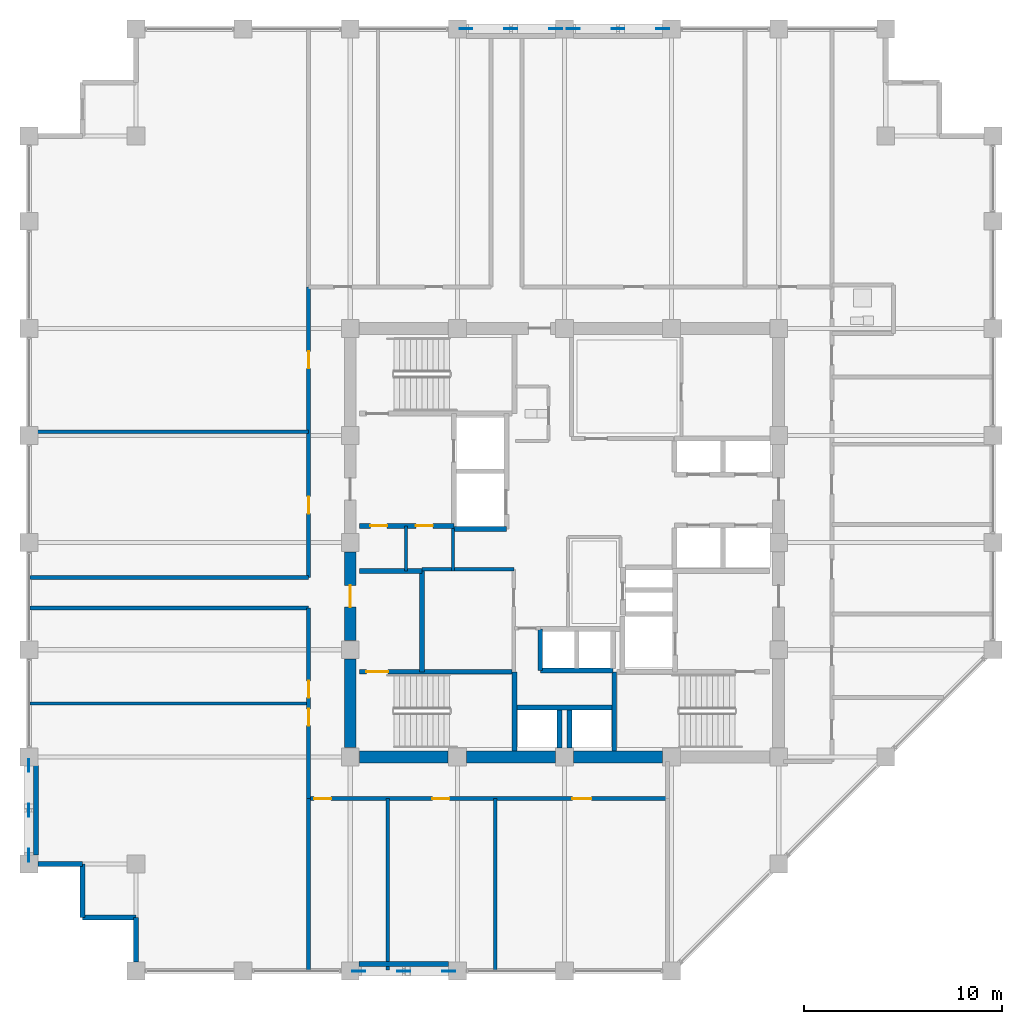
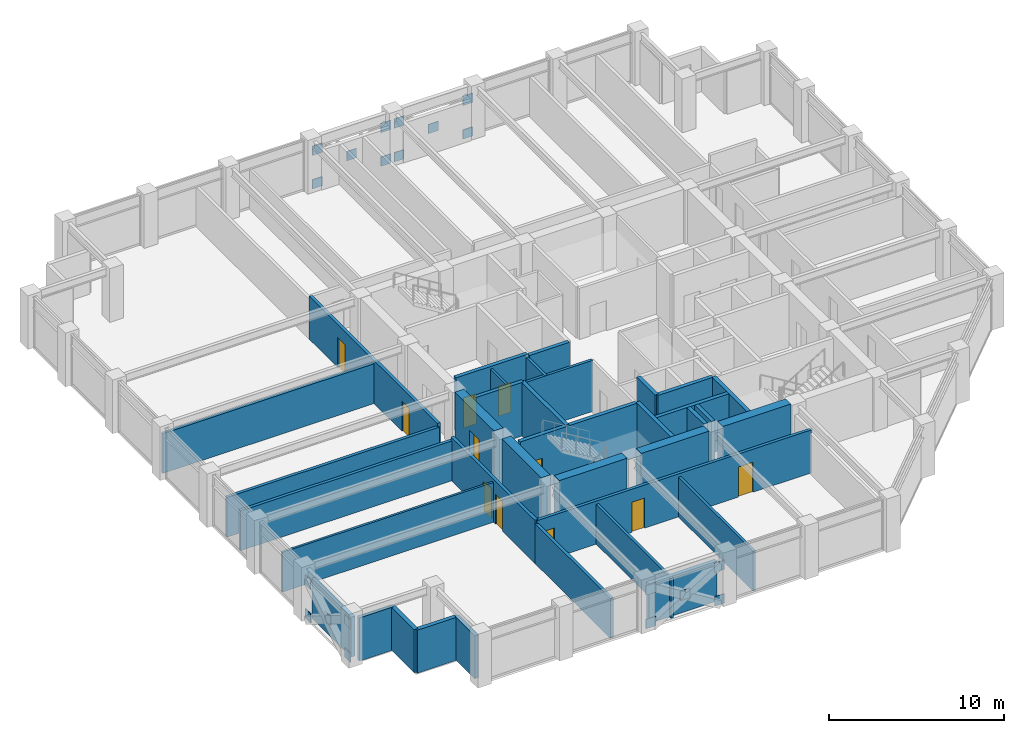
# One storey, part 27 of 32: 36 walls, 20 plates, 11 doors, 11 openings.
"""IFC4 building model written with IfcOpenShell, lengths in metres."""

import ifcopenshell
import ifcopenshell.guid

model = None  # the IFC model being written
_history = None  # IfcOwnerHistory: only IFC2X3 demands one
_inside = {}  # id of a spatial element -> (the spatial element, [elements in it])
_under = {}  # id of a project, library or spatial element -> (it, [spatial elements below it])
_declared = {}  # id of a project -> (the project, [libraries it declares])
_typed = {}  # id of a type object -> (the type object, [elements of that type])
_made_of = {}  # id of a material, layer set ... -> (it, [elements and type objects made of it])


def new_model(schema):
    """Start an empty IFC model of exactly this schema.

    Asked for "IFC4X3", IfcOpenShell would pick the latest addendum, in which some entities
    have other attributes; the version numbers below select the first issue.
    IFC2X3 requires an IfcOwnerHistory on every rooted entity: one is made here for all.
    """
    global model, _history
    if schema == "IFC4X3":
        model = ifcopenshell.file(schema_version=(4, 3, 0, 0))
    else:
        model = ifcopenshell.file(schema=schema)
    _inside.clear()
    _under.clear()
    _declared.clear()
    _typed.clear()
    _made_of.clear()
    _history = None
    if model.schema == "IFC2X3":
        org = make("IfcOrganization", Name="unknown")
        user = make(
            "IfcPersonAndOrganization",
            ThePerson=make("IfcPerson", FamilyName="unknown"),
            TheOrganization=org,
        )
        app = make(
            "IfcApplication",
            ApplicationDeveloper=org,
            Version="unknown",
            ApplicationFullName="unknown",
            ApplicationIdentifier="unknown",
        )
        _history = make(
            "IfcOwnerHistory",
            OwningUser=user,
            OwningApplication=app,
            ChangeAction="ADDED",
            CreationDate=0,
        )
    return model


def make(cls, **values):
    """One entity of the class cls with the attributes given. An attribute that is None is left unset."""
    return model.create_entity(
        cls, **{name: value for name, value in values.items() if value is not None}
    )


def rooted(cls, **values):
    """An entity with a GlobalId (a new one), such as an element, a storey or a relation."""
    return make(cls, GlobalId=ifcopenshell.guid.new(), OwnerHistory=_history, **values)


def si_unit(unit_type, name, prefix=None):
    """IfcSIUnit, for example si_unit("LENGTHUNIT", "METRE", prefix="MILLI")."""
    return make("IfcSIUnit", UnitType=unit_type, Prefix=prefix, Name=name)


def assignment(units):
    """IfcUnitAssignment: the units of a project."""
    return None if units is None else make("IfcUnitAssignment", Units=units)


def point(xyz):
    """IfcCartesianPoint."""
    return None if xyz is None else make("IfcCartesianPoint", Coordinates=xyz)


def direction(xyz):
    """IfcDirection."""
    return None if xyz is None else make("IfcDirection", DirectionRatios=xyz)


def frame(location, z_axis=None, x_axis=None):
    """IfcAxis2Placement3D, a coordinate frame: its origin and axes. An axis left out is left unset."""
    return make(
        "IfcAxis2Placement3D",
        Location=point(location),
        Axis=direction(z_axis),
        RefDirection=direction(x_axis),
    )


def frame_2d(location, x_axis=None):
    """IfcAxis2Placement2D, a coordinate frame in the plane: its origin and x axis."""
    return make(
        "IfcAxis2Placement2D", Location=point(location), RefDirection=direction(x_axis)
    )


def origin():
    """The frame at (0, 0, 0) with its axes left unset."""
    return frame((0.0, 0.0, 0.0))


def origin_2d():
    """The frame at (0, 0) in the plane with its x axis left unset."""
    return frame_2d((0.0, 0.0))


def place(relative_to, where):
    """IfcLocalPlacement: puts the frame where relative to a parent placement (None: the world)."""
    return make(
        "IfcLocalPlacement", PlacementRelTo=relative_to, RelativePlacement=where
    )


def context(
    kind, dimensions, precision=None, world=None, true_north=None, identifier=None
):
    """IfcGeometricRepresentationContext, for example the 3D "Model" context."""
    return make(
        "IfcGeometricRepresentationContext",
        ContextIdentifier=identifier,
        ContextType=kind,
        CoordinateSpaceDimension=dimensions,
        Precision=precision,
        WorldCoordinateSystem=world,
        TrueNorth=true_north,
    )


def subcontext(parent, identifier, kind, view, scale=None):
    """IfcGeometricRepresentationSubContext, for example "Body" below "Model"."""
    return make(
        "IfcGeometricRepresentationSubContext",
        ContextIdentifier=identifier,
        ContextType=kind,
        ParentContext=parent,
        TargetScale=scale,
        TargetView=view,
    )


def project(units=None, contexts=None):
    """IfcProject with its units and contexts."""
    return rooted(
        "IfcProject",
        Name="project",
        RepresentationContexts=contexts,
        UnitsInContext=assignment(units),
    )


def spatial(cls, under=None, at=None, **own):
    """A site, building, storey or space (cls), placed at a placement, below another one or the project."""
    s = rooted(cls, ObjectPlacement=at, **own)
    if under is not None:
        _under.setdefault(under.id(), (under, []))[1].append(s)
    return s


def profile(cls, at=None, kind="AREA", **sizes):
    """A parametric profile (cls). Its sizes go by their IFC names, for example OverallWidth=200.0."""
    return make(cls, ProfileType=kind, Position=at, **sizes)


def rectangle(**sizes):
    """IfcRectangleProfileDef."""
    return profile("IfcRectangleProfileDef", **sizes)


def extrude(swept, where, along, depth):
    """IfcExtrudedAreaSolid: the profile swept, set in the frame where, extruded along a direction by depth."""
    return make(
        "IfcExtrudedAreaSolid",
        SweptArea=swept,
        Position=where,
        ExtrudedDirection=direction(along),
        Depth=depth,
    )


def shape(context_of_items, identifier, shape_type, items):
    """IfcShapeRepresentation: the items that make up one representation, for example the "Body"."""
    return make(
        "IfcShapeRepresentation",
        ContextOfItems=context_of_items,
        RepresentationIdentifier=identifier,
        RepresentationType=shape_type,
        Items=items,
    )


def material(Name=None, Category=None):
    """IfcMaterial."""
    return make("IfcMaterial", Name=Name, Category=Category)


def layer(
    of_material, thickness, ventilated=None, Name=None, Category=None, Priority=None
):
    """IfcMaterialLayer: one layer of a wall or slab, of a material (None: an air gap)."""
    return make(
        "IfcMaterialLayer",
        Material=of_material,
        LayerThickness=thickness,
        IsVentilated=ventilated,
        Name=Name,
        Category=Category,
        Priority=Priority,
    )


def layer_set(layers, Name=None):
    """IfcMaterialLayerSet."""
    return make("IfcMaterialLayerSet", MaterialLayers=layers, LayerSetName=Name)


def made_of(thing, what):
    """Note that an element or type object is made of a material, layer set ...; save() writes the relation."""
    if what is not None:
        _made_of.setdefault(what.id(), (what, []))[1].append(thing)
    return thing


def type_object(cls, material=None, **own):
    """A type object (cls), such as IfcWallType, which elements share."""
    return made_of(rooted(cls, **own), material)


def element(
    cls,
    number,
    at=None,
    inside=None,
    cuts=None,
    type_object=None,
    material=None,
    context=None,
    identifier="Body",
    shape_type=None,
    held_by="IfcProductDefinitionShape",
    body=None,
    shapes=None,
    **own,
):
    """One element of the class cls, such as IfcWall. Its Tag is "e" and its number.

    at: its placement. inside: the storey or other place that contains it. cuts: it is an
    opening in that element (IfcRelVoidsElement). A single representation is given by context,
    identifier, shape_type and body (its items); several are given by shapes. held_by: the class
    of the entity that holds the representations. save() writes the other relations.
    """
    e = rooted(cls, Tag="e%d" % number, ObjectPlacement=at, **own)
    if body is not None:
        shapes = [shape(context, identifier, shape_type, body)]
    if shapes is not None:
        e.Representation = make(held_by, Representations=shapes)
    if inside is not None:
        _inside.setdefault(inside.id(), (inside, []))[1].append(e)
    if cuts is not None:
        rooted(
            "IfcRelVoidsElement", RelatingBuildingElement=cuts, RelatedOpeningElement=e
        )
    if type_object is not None:
        _typed.setdefault(type_object.id(), (type_object, []))[1].append(e)
    return made_of(e, material)


def fill(opening, filler):
    """IfcRelFillsElement: the door or window that sits in an opening."""
    return rooted(
        "IfcRelFillsElement",
        RelatingOpeningElement=opening,
        RelatedBuildingElement=filler,
    )


def aggregate(whole, parts):
    """IfcRelAggregates: a whole, such as a stair, and the parts it consists of."""
    return rooted("IfcRelAggregates", RelatingObject=whole, RelatedObjects=parts)


def save(model, path):
    """Write the relations noted so far, then the file.

    IfcRelAggregates (storeys below a building ...), IfcRelContainedInSpatialStructure (elements
    in a storey), IfcRelDefinesByType, IfcRelAssociatesMaterial and IfcRelDeclares: one each for
    every whole, place, type object, material and project.
    """
    for whole, parts in _under.values():
        aggregate(whole, parts)
    for where, things in _inside.values():
        rooted(
            "IfcRelContainedInSpatialStructure",
            RelatedElements=things,
            RelatingStructure=where,
        )
    for kind, things in _typed.values():
        rooted("IfcRelDefinesByType", RelatedObjects=things, RelatingType=kind)
    for what, things in _made_of.values():
        rooted("IfcRelAssociatesMaterial", RelatedObjects=things, RelatingMaterial=what)
    for by, libraries in _declared.values():
        rooted("IfcRelDeclares", RelatingContext=by, RelatedDefinitions=libraries)
    model.write(path)


model = new_model("IFC4")

# Units and contexts
model_context = context("Model", 3, precision=1e-05, world=origin(), true_north=direction((0.0, 1.0)))
body_context = subcontext(model_context, "Body", "Model", "MODEL_VIEW")
ifc_project = project(units=[si_unit("LENGTHUNIT", "METRE"), si_unit("AREAUNIT", "SQUARE_METRE"), si_unit("VOLUMEUNIT", "CUBIC_METRE"), si_unit("PLANEANGLEUNIT", "RADIAN"), si_unit("MASSUNIT", "GRAM", prefix="KILO")], contexts=[model_context])

# Site, building, storey
site_placement = place(None, origin())
site = spatial("IfcSite", under=ifc_project, at=site_placement, CompositionType="ELEMENT")
building_placement = place(site_placement, origin())
building = spatial("IfcBuilding", under=site, at=building_placement, Name="Surkhivell Harbour Commons", CompositionType="ELEMENT")
storey_placement = place(building_placement, frame((0.0, 0.0, 208.5)))
storey = spatial("IfcBuildingStorey", under=building, at=storey_placement, Name="L54", CompositionType="ELEMENT", Elevation=208.5)

# Plates
ifc_material_1 = material(Name="Steel S460", Category="steel")
ifc_layer_1 = layer(ifc_material_1, 0.044921875)
ifc_layer_set_1 = layer_set([ifc_layer_1], Name="Steel S460")
plate_type = type_object("IfcPlateType", Name="PLT-GUS-650", PredefinedType="USERDEFINED", material=ifc_layer_set_1)
for number, where, z_axis, x_axis, name in (
    (1, (-4.965087890625, 25.89990234375, -0.08935546875), (0.0, 0.0, 1.0), (1.0, 0.0, 0.0), "L54 Perimeter Mega-Brace MB- Corner Gusset N-1"),
    (2, (-0.43505859375, 25.89990234375, -0.08935546875), (0.0, 0.0, 1.0), (1.0, 0.0, 0.0), "L54 Perimeter Mega-Brace MB- Corner Gusset N-2"),
    (3, (-4.965087890625, 25.89990234375, 2.25146484375), (0.0, 0.0, 1.0), (1.0, 0.0, 0.0), "L54 Perimeter Mega-Brace MB- Corner Gusset N-3"),
    (4, (-0.43505859375, 25.89990234375, 2.25146484375), (0.0, 0.0, 1.0), (1.0, 0.0, 0.0), "L54 Perimeter Mega-Brace MB- Corner Gusset N-4"),
    (5, (-2.699951171875, 25.89990234375, 1.0810546875), (0.0, 0.0, 1.0), (1.0, 0.0, 0.0), "L54 Perimeter Mega-Brace MB- Central Crossing Gusset N"),
    (6, (0.43505859375, 25.89990234375, -0.08935546875), (0.0, 0.0, 1.0), (1.0, 0.0, 0.0), "L54 Perimeter Mega-Brace MB- Corner Gusset N2-1"),
    (7, (4.965087890625, 25.89990234375, -0.08935546875), (0.0, 0.0, 1.0), (1.0, 0.0, 0.0), "L54 Perimeter Mega-Brace MB- Corner Gusset N2-2"),
    (8, (0.43505859375, 25.89990234375, 2.25146484375), (0.0, 0.0, 1.0), (1.0, 0.0, 0.0), "L54 Perimeter Mega-Brace MB- Corner Gusset N2-3"),
    (9, (4.965087890625, 25.89990234375, 2.25146484375), (0.0, 0.0, 1.0), (1.0, 0.0, 0.0), "L54 Perimeter Mega-Brace MB- Corner Gusset N2-4"),
    (10, (2.699951171875, 25.89990234375, 1.0810546875), (0.0, 0.0, 1.0), (1.0, 0.0, 0.0), "L54 Perimeter Mega-Brace MB- Central Crossing Gusset N2"),
    (11, (-10.364990234375, -21.60009765625, -0.08935546875), (0.0, 0.0, 1.0), (1.0, 0.0, 0.0), "L54 Perimeter Mega-Brace MB- Corner Gusset S-1"),
    (12, (-5.8349609375, -21.60009765625, -0.08935546875), (0.0, 0.0, 1.0), (1.0, 0.0, 0.0), "L54 Perimeter Mega-Brace MB- Corner Gusset S-2"),
    (13, (-10.364990234375, -21.60009765625, 2.25146484375), (0.0, 0.0, 1.0), (1.0, 0.0, 0.0), "L54 Perimeter Mega-Brace MB- Corner Gusset S-3"),
    (14, (-5.8349609375, -21.60009765625, 2.25146484375), (0.0, 0.0, 1.0), (1.0, 0.0, 0.0), "L54 Perimeter Mega-Brace MB- Corner Gusset S-4"),
    (15, (-8.10009765625, -21.60009765625, 1.0810546875), (0.0, 0.0, 1.0), (1.0, 0.0, 0.0), "L54 Perimeter Mega-Brace MB- Central Crossing Gusset S"),
    (16, (-27.0, -15.764892578125, -0.08935546875), (0.0, 0.0, 1.0), (0.0, 1.0, 0.0), "L54 Perimeter Mega-Brace MB- Corner Gusset W-1"),
    (17, (-27.0, -11.235107421875, -0.08935546875), (0.0, 0.0, 1.0), (0.0, 1.0, 0.0), "L54 Perimeter Mega-Brace MB- Corner Gusset W-2"),
    (18, (-27.0, -15.764892578125, 2.25146484375), (0.0, 0.0, 1.0), (0.0, 1.0, 0.0), "L54 Perimeter Mega-Brace MB- Corner Gusset W-3"),
    (19, (-27.0, -11.235107421875, 2.25146484375), (0.0, 0.0, 1.0), (0.0, 1.0, 0.0), "L54 Perimeter Mega-Brace MB- Corner Gusset W-4"),
    (20, (-27.0, -13.5, 1.0810546875), (0.0, 0.0, 1.0), (0.0, 1.0, 0.0), "L54 Perimeter Mega-Brace MB- Central Crossing Gusset W"),
):
    element("IfcPlate", number, at=place(storey_placement, frame(where, z_axis=z_axis, x_axis=x_axis)), inside=storey, type_object=plate_type, Name=name, ObjectType="GUSSET_PLATE", PredefinedType="USERDEFINED", context=body_context, shape_type="SweptSolid", body=[
        extrude(rectangle(XDim=0.64990234375, YDim=0.044921875, at=origin_2d()), origin(), (0.0, 0.0, 1.0), 0.64990234375),
    ])

# Walls
ifc_material_2 = material(Name="Concrete C60/75", Category="concrete")
ifc_layer_2 = layer(ifc_material_2, 0.60009765625)
ifc_layer_set_2 = layer_set([ifc_layer_2], Name="Concrete C60/75")
wall_type_1 = type_object("IfcWallType", Name="WAL-CORE-600", PredefinedType="SHEAR", material=ifc_layer_set_2)
for number, where, z_axis, x_axis, name in (
    (21, (-10.340087890625, -10.800048828125, 0.0), (0.0, 0.0, 1.0), (1.0, 0.0, 0.0), "L54 Core Shear Wall South 1"),
    (22, (-10.800048828125, -10.340087890625, 0.0), (0.0, 0.0, 1.0), (0.0, 1.0, 0.0), "L54 Core Shear Wall West 1"),
    (23, (-4.93994140625, -10.800048828125, 0.0), (0.0, 0.0, 1.0), (1.0, 0.0, 0.0), "L54 Core Shear Wall South 2"),
):
    element("IfcWall", number, at=place(storey_placement, frame(where, z_axis=z_axis, x_axis=x_axis)), inside=storey, type_object=wall_type_1, Name=name, PredefinedType="SHEAR", context=body_context, shape_type="SweptSolid", body=[
        extrude(rectangle(XDim=4.47998046875, YDim=0.60009765625, at=frame_2d((2.239990234375, 0.0))), origin(), (0.0, 0.0, 1.0), 3.75),
    ])

# Wall, opening, door
wall_1_placement = place(storey_placement, frame((-10.800048828125, -4.93994140625, 0.0), z_axis=(0.0, 0.0, 1.0), x_axis=(0.0, 1.0, 0.0)))
wall_1 = element("IfcWall", 24, at=wall_1_placement, inside=storey, type_object=wall_type_1, Name="L54 Core Shear Wall West 2", PredefinedType="SHEAR", context=body_context, shape_type="SweptSolid", body=[
    extrude(rectangle(XDim=4.47998046875, YDim=0.60009765625, at=frame_2d((2.239990234375, 0.0))), origin(), (0.0, 0.0, 1.0), 3.75),
])
opening_1_placement = place(wall_1_placement, frame((1.68994140625, 0.0, 0.0)))
opening_1 = element("IfcOpeningElement", 25, at=opening_1_placement, cuts=wall_1, Name="Opening ID-2", PredefinedType="OPENING", context=body_context, shape_type="SweptSolid", body=[
    extrude(rectangle(XDim=1.10009765625, YDim=2.10009765625, at=frame_2d((0.550048828125, 1.050048828125))), frame((0.0, 0.31005859375, 0.0), z_axis=(0.0, -1.0, 0.0), x_axis=(1.0, 0.0, 0.0)), (0.0, 0.0, 1.0), 0.6201171875),
])
ifc_material_3 = material(Name="Hardwood-veneered fire-rated door leaf", Category="wood")
door_type_1 = type_object("IfcDoorType", Name="DOR-FD60-1100", OperationType="NOTDEFINED", PredefinedType="DOOR", material=ifc_material_3)
door_1_placement = place(opening_1_placement, origin())
door_1 = element("IfcDoor", 26, at=door_1_placement, inside=storey, type_object=door_type_1, Name="L54 Stair 3 Lobby Corridor Door", OperationType="SINGLE_SWING_LEFT", OverallHeight=2.10009765625, OverallWidth=1.10009765625, PredefinedType="DOOR", context=body_context, shape_type="SweptSolid", body=[
    extrude(rectangle(XDim=1.10009765625, YDim=2.10009765625, at=frame_2d((0.550048828125, 1.050048828125))), frame((0.0, 0.02490234375, 0.0), z_axis=(0.0, -1.0, 0.0), x_axis=(1.0, 0.0, 0.0)), (0.0, 0.0, 1.0), 0.050048828125),
])
fill(opening_1, door_1)

# Walls
wall_2_placement = place(storey_placement, frame((0.4599609375, -10.800048828125, 0.0), z_axis=(0.0, 0.0, 1.0), x_axis=(1.0, 0.0, 0.0)))
element("IfcWall", 27, at=wall_2_placement, inside=storey, type_object=wall_type_1, Name="L54 Core Shear Wall South 3", PredefinedType="SHEAR", context=body_context, shape_type="SweptSolid", body=[
    extrude(rectangle(XDim=4.47998046875, YDim=0.60009765625, at=frame_2d((2.239990234375, 0.0))), origin(), (0.0, 0.0, 1.0), 3.75),
])
ifc_material_4 = material(Name="Pale-metal insulated precast concrete C45/55", Category="concrete")
ifc_layer_3 = layer(ifc_material_4, 0.260009765625)
ifc_layer_set_3 = layer_set([ifc_layer_3], Name="Pale-metal insulated precast concrete C45/55")
wall_type_2 = type_object("IfcWallType", Name="WAL-EXT-MTL260", PredefinedType="STANDARD", material=ifc_layer_set_3)
wall_3_placement = place(storey_placement, frame((-10.35205078125, -21.239990234375, 0.0), z_axis=(0.0, 0.0, 1.0), x_axis=(1.0, 0.0, 0.0)))
element("IfcWall", 28, at=wall_3_placement, inside=storey, type_object=wall_type_2, Name="L54 Braced-Bay Insulated Spandrel Backing S", PredefinedType="STANDARD", context=body_context, shape_type="SweptSolid", body=[
    extrude(rectangle(XDim=4.504150390625, YDim=0.260009765625, at=frame_2d((2.251953125, 0.0))), origin(), (0.0, 0.0, 1.0), 2.780029296875),
])
wall_4_placement = place(storey_placement, frame((-26.639892578125, -11.248046875, 0.0), z_axis=(0.0, 0.0, 1.0), x_axis=(0.0, -1.0, 0.0)))
element("IfcWall", 29, at=wall_4_placement, inside=storey, type_object=wall_type_2, Name="L54 Braced-Bay Insulated Spandrel Backing W", PredefinedType="STANDARD", context=body_context, shape_type="SweptSolid", body=[
    extrude(rectangle(XDim=4.50390625, YDim=0.260009765625, at=frame_2d((2.251953125, 0.0))), origin(), (0.0, 0.0, 1.0), 2.780029296875),
])
wall_5_placement = place(storey_placement, frame((-26.552001953125, -16.199951171875, 0.0), z_axis=(0.0, 0.0, 1.0), x_axis=(1.0, 0.0, 0.0)))
element("IfcWall", 30, at=wall_5_placement, inside=storey, type_object=wall_type_2, Name="L54 Serrated Corner Facade Wall 13", PredefinedType="STANDARD", context=body_context, shape_type="SweptSolid", body=[
    extrude(rectangle(XDim=2.251953125, YDim=0.260009765625, at=frame_2d((1.1259765625, 0.0))), origin(), (0.0, 0.0, 1.0), 3.006103515625),
])
for number, where, z_axis, x_axis, name in (
    (31, (-24.300048828125, -16.199951171875, 0.0), (0.0, 0.0, 1.0), (0.0, -1.0, 0.0), "L54 Serrated Corner Facade Wall 14"),
    (32, (-24.300048828125, -18.89990234375, 0.0), (0.0, 0.0, 1.0), (1.0, 0.0, 0.0), "L54 Serrated Corner Facade Wall 15"),
):
    element("IfcWall", number, at=place(storey_placement, frame(where, z_axis=z_axis, x_axis=x_axis)), inside=storey, type_object=wall_type_2, Name=name, PredefinedType="STANDARD", context=body_context, shape_type="SweptSolid", body=[
        extrude(rectangle(XDim=2.699951171875, YDim=0.260009765625, at=frame_2d((1.35009765625, 0.0))), origin(), (0.0, 0.0, 1.0), 3.006103515625),
    ])
wall_6_placement = place(storey_placement, frame((-21.60009765625, -18.89990234375, 0.0), z_axis=(0.0, 0.0, 1.0), x_axis=(0.0, -1.0, 0.0)))
element("IfcWall", 33, at=wall_6_placement, inside=storey, type_object=wall_type_2, Name="L54 Serrated Corner Facade Wall 16", PredefinedType="STANDARD", context=body_context, shape_type="SweptSolid", body=[
    extrude(rectangle(XDim=2.252197265625, YDim=0.260009765625, at=frame_2d((1.1259765625, 0.0))), origin(), (0.0, 0.0, 1.0), 3.006103515625),
])
ifc_material_5 = material(Name="Twin-stud acoustic fireboard partition", Category="other")
ifc_layer_4 = layer(ifc_material_5, 0.14990234375)
ifc_layer_set_4 = layer_set([ifc_layer_4], Name="Twin-stud acoustic fireboard partition")
wall_type_3 = type_object("IfcWallType", Name="WAL-INT-150", PredefinedType="PARTITIONING", material=ifc_layer_set_4)
wall_7_placement = place(storey_placement, frame((-8.0, -1.419921875, 0.0), z_axis=(0.0, 0.0, 1.0), x_axis=(0.0, 1.0, 0.0)))
element("IfcWall", 34, at=wall_7_placement, inside=storey, type_object=wall_type_3, Name="L54 West Core Cut D1", PredefinedType="PARTITIONING", context=body_context, shape_type="SweptSolid", body=[
    extrude(rectangle(XDim=2.27001953125, YDim=0.14990234375, at=frame_2d((1.135009765625, 0.0))), origin(), (0.0, 0.0, 1.0), 3.570068359375),
])
wall_8_placement = place(storey_placement, frame((-26.93994140625, -8.10009765625, 0.0), z_axis=(0.0, 0.0, 1.0), x_axis=(1.0, 0.0, 0.0)))
element("IfcWall", 35, at=wall_8_placement, inside=storey, type_object=wall_type_3, Name="L54 South-West Partition P1", PredefinedType="PARTITIONING", context=body_context, shape_type="SweptSolid", body=[
    extrude(rectangle(XDim=14.0400390625, YDim=0.14990234375, at=frame_2d((7.02001953125, 0.0))), origin(), (0.0, 0.0, 1.0), 2.780029296875),
])
ifc_material_6 = material(Name="High-density acoustic blockwork fire partition", Category="masonry")
ifc_layer_5 = layer(ifc_material_6, 0.175048828125)
ifc_layer_set_5 = layer_set([ifc_layer_5], Name="High-density acoustic blockwork fire partition")
wall_type_4 = type_object("IfcWallType", Name="WAL-INT-175", PredefinedType="PARTITIONING", material=ifc_layer_set_5)
wall_9_placement = place(storey_placement, frame((-7.179931640625, -1.35009765625, 0.0), z_axis=(0.0, 0.0, 1.0), x_axis=(1.0, 0.0, 0.0)))
element("IfcWall", 36, at=wall_9_placement, inside=storey, type_object=wall_type_4, Name="L54 Core Service Bay North Wall", PredefinedType="PARTITIONING", context=body_context, shape_type="SweptSolid", body=[
    extrude(rectangle(XDim=4.6298828125, YDim=0.175048828125, at=frame_2d((2.31494140625, 0.0))), origin(), (0.0, 0.0, 1.0), 3.570068359375),
])
wall_10_placement = place(storey_placement, frame((-5.6201171875, -1.419921875, 0.0), z_axis=(0.0, 0.0, 1.0), x_axis=(0.0, 1.0, 0.0)))
element("IfcWall", 37, at=wall_10_placement, inside=storey, type_object=wall_type_4, Name="L54 West Core Bay East Wall", PredefinedType="PARTITIONING", context=body_context, shape_type="SweptSolid", body=[
    extrude(rectangle(XDim=2.139892578125, YDim=0.175048828125, at=frame_2d((1.06982421875, 0.0))), origin(), (0.0, 0.0, 1.0), 3.570068359375),
])
for number, where, z_axis, x_axis, name in (
    (38, (-8.919921875, -21.5400390625, 0.0), (0.0, 0.0, 1.0), (0.0, 1.0, 0.0), "L54 South Partition P1"),
    (39, (-3.489990234375, -21.5400390625, 0.0), (0.0, 0.0, 1.0), (0.0, 1.0, 0.0), "L54 South Partition P2"),
):
    element("IfcWall", number, at=place(storey_placement, frame(where, z_axis=z_axis, x_axis=x_axis)), inside=storey, type_object=wall_type_4, Name=name, PredefinedType="PARTITIONING", context=body_context, shape_type="SweptSolid", body=[
        extrude(rectangle(XDim=8.64013671875, YDim=0.175048828125, at=frame_2d((4.320068359375, 0.0))), origin(), (0.0, 0.0, 1.0), 2.780029296875),
    ])
wall_11_placement = place(storey_placement, frame((-26.93994140625, 5.580078125, 0.0), z_axis=(0.0, 0.0, 1.0), x_axis=(1.0, 0.0, 0.0)))
element("IfcWall", 40, at=wall_11_placement, inside=storey, type_object=wall_type_4, Name="L54 North-West Partition P1", PredefinedType="PARTITIONING", context=body_context, shape_type="SweptSolid", body=[
    extrude(rectangle(XDim=14.0400390625, YDim=0.175048828125, at=frame_2d((7.02001953125, 0.0))), origin(), (0.0, 0.0, 1.0), 2.780029296875),
])
ifc_material_7 = material(Name="Autoclaved aerated concrete blockwork and fire plaster", Category="masonry")
ifc_layer_6 = layer(ifc_material_7, 0.199951171875)
ifc_layer_set_6 = layer_set([ifc_layer_6], Name="Autoclaved aerated concrete blockwork and fire plaster")
wall_type_5 = type_object("IfcWallType", Name="WAL-INT-200", PredefinedType="PARTITIONING", material=ifc_layer_set_6)
wall_12_placement = place(storey_placement, frame((-12.89990234375, -21.5400390625, 0.0), z_axis=(0.0, 0.0, 1.0), x_axis=(0.0, 1.0, 0.0)))
element("IfcWall", 41, at=wall_12_placement, inside=storey, type_object=wall_type_5, Name="L54 South-West Corner Wall", PredefinedType="PARTITIONING", context=body_context, shape_type="SweptSolid", body=[
    extrude(rectangle(XDim=8.64013671875, YDim=0.199951171875, at=frame_2d((4.320068359375, 0.0))), origin(), (0.0, 0.0, 1.0), 2.780029296875),
])

# Wall, openings, doors
wall_13_placement = place(storey_placement, frame((-12.89990234375, -12.89990234375, 0.0), z_axis=(0.0, 0.0, 1.0), x_axis=(1.0, 0.0, 0.0)))
wall_13 = element("IfcWall", 42, at=wall_13_placement, inside=storey, type_object=wall_type_5, Name="L54 Corridor South Wall", PredefinedType="PARTITIONING", context=body_context, shape_type="SweptSolid", body=[
    extrude(rectangle(XDim=18.099853515625, YDim=0.199951171875, at=frame_2d((9.0498046875, 0.0))), origin(), (0.0, 0.0, 1.0), 3.006103515625),
])
opening_2_placement = place(wall_13_placement, frame((0.280029296875, 0.0, 0.0)))
opening_2 = element("IfcOpeningElement", 43, at=opening_2_placement, cuts=wall_13, Name="Opening ID-6", PredefinedType="OPENING", context=body_context, shape_type="SweptSolid", body=[
    extrude(rectangle(XDim=0.85009765625, YDim=2.10009765625, at=frame_2d((0.425048828125, 1.050048828125))), frame((0.0, 0.10986328125, 0.0), z_axis=(0.0, -1.0, 0.0), x_axis=(1.0, 0.0, 0.0)), (0.0, 0.0, 1.0), 0.219970703125),
])
opening_3_placement = place(wall_13_placement, frame((6.2451171875, 0.0, 0.0)))
opening_3 = element("IfcOpeningElement", 44, at=opening_3_placement, cuts=wall_13, Name="Opening ID-6", PredefinedType="OPENING", context=body_context, shape_type="SweptSolid", body=[
    extrude(rectangle(XDim=0.85009765625, YDim=2.10009765625, at=frame_2d((0.425048828125, 1.050048828125))), frame((0.0, 0.10986328125, 0.0), z_axis=(0.0, -1.0, 0.0), x_axis=(1.0, 0.0, 0.0)), (0.0, 0.0, 1.0), 0.219970703125),
])
opening_4_placement = place(wall_13_placement, frame((13.304931640625, 0.0, 0.0)))
opening_4 = element("IfcOpeningElement", 45, at=opening_4_placement, cuts=wall_13, Name="Opening ID-4", PredefinedType="OPENING", context=body_context, shape_type="SweptSolid", body=[
    extrude(rectangle(XDim=0.949951171875, YDim=2.10009765625, at=frame_2d((0.47509765625, 1.050048828125))), frame((0.0, 0.10986328125, 0.0), z_axis=(0.0, -1.0, 0.0), x_axis=(1.0, 0.0, 0.0)), (0.0, 0.0, 1.0), 0.219970703125),
])
door_type_2 = type_object("IfcDoorType", Name="DOR-FD30-850", OperationType="NOTDEFINED", PredefinedType="DOOR", material=ifc_material_3)
door_2_placement = place(opening_2_placement, origin())
door_2 = element("IfcDoor", 46, at=door_2_placement, inside=storey, type_object=door_type_2, Name="L54 Co-Working Study Office 1 South Door", OperationType="SINGLE_SWING_RIGHT", OverallHeight=2.10009765625, OverallWidth=0.85009765625, PredefinedType="DOOR", context=body_context, shape_type="SweptSolid", body=[
    extrude(rectangle(XDim=0.85009765625, YDim=2.10009765625, at=frame_2d((0.425048828125, 1.050048828125))), frame((0.0, 0.02490234375, 0.0), z_axis=(0.0, -1.0, 0.0), x_axis=(1.0, 0.0, 0.0)), (0.0, 0.0, 1.0), 0.050048828125),
])
fill(opening_2, door_2)
door_3_placement = place(opening_3_placement, origin())
door_3 = element("IfcDoor", 47, at=door_3_placement, inside=storey, type_object=door_type_2, Name="L54 Co-Working Study Office 2 South Door", OperationType="SINGLE_SWING_LEFT", OverallHeight=2.10009765625, OverallWidth=0.85009765625, PredefinedType="DOOR", context=body_context, shape_type="SweptSolid", body=[
    extrude(rectangle(XDim=0.85009765625, YDim=2.10009765625, at=frame_2d((0.425048828125, 1.050048828125))), frame((0.0, 0.02490234375, 0.0), z_axis=(0.0, -1.0, 0.0), x_axis=(1.0, 0.0, 0.0)), (0.0, 0.0, 1.0), 0.050048828125),
])
fill(opening_3, door_3)
door_type_3 = type_object("IfcDoorType", Name="DOR-FD60-950", OperationType="NOTDEFINED", PredefinedType="DOOR", material=ifc_material_3)
door_4_placement = place(opening_4_placement, origin())
door_4 = element("IfcDoor", 48, at=door_4_placement, inside=storey, type_object=door_type_3, Name="L54 Co-Working Study Office 3 South Door", OperationType="SINGLE_SWING_RIGHT", OverallHeight=2.10009765625, OverallWidth=0.949951171875, PredefinedType="DOOR", context=body_context, shape_type="SweptSolid", body=[
    extrude(rectangle(XDim=0.949951171875, YDim=2.10009765625, at=frame_2d((0.47509765625, 1.050048828125))), frame((0.0, 0.02490234375, 0.0), z_axis=(0.0, -1.0, 0.0), x_axis=(1.0, 0.0, 0.0)), (0.0, 0.0, 1.0), 0.050048828125),
])
fill(opening_4, door_4)

# Walls
for number, where, z_axis, x_axis, name in (
    (49, (-26.93994140625, -1.75, 0.0), (0.0, 0.0, 1.0), (1.0, 0.0, 0.0), "L54 West Spur North Wall"),
    (50, (-26.93994140625, -3.300048828125, 0.0), (0.0, 0.0, 1.0), (1.0, 0.0, 0.0), "L54 West Spur South Wall"),
):
    element("IfcWall", number, at=place(storey_placement, frame(where, z_axis=z_axis, x_axis=x_axis)), inside=storey, type_object=wall_type_5, Name=name, PredefinedType="PARTITIONING", context=body_context, shape_type="SweptSolid", body=[
        extrude(rectangle(XDim=14.0400390625, YDim=0.199951171875, at=frame_2d((7.02001953125, 0.0))), origin(), (0.0, 0.0, 1.0), 2.780029296875),
    ])

# Wall, openings, doors
wall_14_placement = place(storey_placement, frame((-12.89990234375, -1.75, 0.0), z_axis=(0.0, 0.0, 1.0), x_axis=(0.0, 1.0, 0.0)))
wall_14 = element("IfcWall", 51, at=wall_14_placement, inside=storey, type_object=wall_type_5, Name="L54 Corridor West-Upper Wall", PredefinedType="PARTITIONING", context=body_context, shape_type="SweptSolid", body=[
    extrude(rectangle(XDim=14.64990234375, YDim=0.199951171875, at=frame_2d((7.324951171875, 0.0))), origin(), (0.0, 0.0, 1.0), 3.006103515625),
])
opening_5_placement = place(wall_14_placement, frame((3.215087890625, 0.0, 0.0)))
opening_5 = element("IfcOpeningElement", 52, at=opening_5_placement, cuts=wall_14, Name="Opening ID-6", PredefinedType="OPENING", context=body_context, shape_type="SweptSolid", body=[
    extrude(rectangle(XDim=0.85009765625, YDim=2.10009765625, at=frame_2d((0.425048828125, 1.050048828125))), frame((0.0, 0.10986328125, 0.0), z_axis=(0.0, -1.0, 0.0), x_axis=(1.0, 0.0, 0.0)), (0.0, 0.0, 1.0), 0.219970703125),
])
opening_6_placement = place(wall_14_placement, frame((10.5400390625, 0.0, 0.0)))
opening_6 = element("IfcOpeningElement", 53, at=opening_6_placement, cuts=wall_14, Name="Opening ID-6", PredefinedType="OPENING", context=body_context, shape_type="SweptSolid", body=[
    extrude(rectangle(XDim=0.85009765625, YDim=2.10009765625, at=frame_2d((0.425048828125, 1.050048828125))), frame((0.0, 0.10986328125, 0.0), z_axis=(0.0, -1.0, 0.0), x_axis=(1.0, 0.0, 0.0)), (0.0, 0.0, 1.0), 0.219970703125),
])
door_5_placement = place(opening_5_placement, origin())
door_5 = element("IfcDoor", 54, at=door_5_placement, inside=storey, type_object=door_type_2, Name="L54 Campus Co-Op Bookshop North-West Door", OperationType="SINGLE_SWING_LEFT", OverallHeight=2.10009765625, OverallWidth=0.85009765625, PredefinedType="DOOR", context=body_context, shape_type="SweptSolid", body=[
    extrude(rectangle(XDim=0.85009765625, YDim=2.10009765625, at=frame_2d((0.425048828125, 1.050048828125))), frame((0.0, 0.02490234375, 0.0), z_axis=(0.0, -1.0, 0.0), x_axis=(1.0, 0.0, 0.0)), (0.0, 0.0, 1.0), 0.050048828125),
])
fill(opening_5, door_5)
door_6_placement = place(opening_6_placement, origin())
door_6 = element("IfcDoor", 55, at=door_6_placement, inside=storey, type_object=door_type_2, Name="L54 Harbour Espresso Cafe Shop North-West Door", OperationType="SINGLE_SWING_RIGHT", OverallHeight=2.10009765625, OverallWidth=0.85009765625, PredefinedType="DOOR", context=body_context, shape_type="SweptSolid", body=[
    extrude(rectangle(XDim=0.85009765625, YDim=2.10009765625, at=frame_2d((0.425048828125, 1.050048828125))), frame((0.0, 0.02490234375, 0.0), z_axis=(0.0, -1.0, 0.0), x_axis=(1.0, 0.0, 0.0)), (0.0, 0.0, 1.0), 0.050048828125),
])
fill(opening_6, door_6)

wall_15_placement = place(storey_placement, frame((-12.89990234375, -12.89990234375, 0.0), z_axis=(0.0, 0.0, 1.0), x_axis=(0.0, 1.0, 0.0)))
wall_15 = element("IfcWall", 56, at=wall_15_placement, inside=storey, type_object=wall_type_5, Name="L54 Corridor West-Lower Wall", PredefinedType="PARTITIONING", context=body_context, shape_type="SweptSolid", body=[
    extrude(rectangle(XDim=9.599853515625, YDim=0.199951171875, at=frame_2d((4.7998046875, 0.0))), origin(), (0.0, 0.0, 1.0), 3.006103515625),
])
opening_7_placement = place(wall_15_placement, frame((3.669921875, 0.0, 0.0)))
opening_7 = element("IfcOpeningElement", 57, at=opening_7_placement, cuts=wall_15, Name="Opening ID-6", PredefinedType="OPENING", context=body_context, shape_type="SweptSolid", body=[
    extrude(rectangle(XDim=0.85009765625, YDim=2.10009765625, at=frame_2d((0.425048828125, 1.050048828125))), frame((0.0, 0.10986328125, 0.0), z_axis=(0.0, -1.0, 0.0), x_axis=(1.0, 0.0, 0.0)), (0.0, 0.0, 1.0), 0.219970703125),
])
opening_8_placement = place(wall_15_placement, frame((5.080078125, 0.0, 0.0)))
opening_8 = element("IfcOpeningElement", 58, at=opening_8_placement, cuts=wall_15, Name="Opening ID-6", PredefinedType="OPENING", context=body_context, shape_type="SweptSolid", body=[
    extrude(rectangle(XDim=0.85009765625, YDim=2.10009765625, at=frame_2d((0.425048828125, 1.050048828125))), frame((0.0, 0.10986328125, 0.0), z_axis=(0.0, -1.0, 0.0), x_axis=(1.0, 0.0, 0.0)), (0.0, 0.0, 1.0), 0.219970703125),
])
door_7_placement = place(opening_7_placement, origin())
door_7 = element("IfcDoor", 59, at=door_7_placement, inside=storey, type_object=door_type_2, Name="L54 Campus Co-Op Bookshop South-West Door", OperationType="SINGLE_SWING_LEFT", OverallHeight=2.10009765625, OverallWidth=0.85009765625, PredefinedType="DOOR", context=body_context, shape_type="SweptSolid", body=[
    extrude(rectangle(XDim=0.85009765625, YDim=2.10009765625, at=frame_2d((0.425048828125, 1.050048828125))), frame((0.0, 0.02490234375, 0.0), z_axis=(0.0, -1.0, 0.0), x_axis=(1.0, 0.0, 0.0)), (0.0, 0.0, 1.0), 0.050048828125),
])
fill(opening_7, door_7)
door_8_placement = place(opening_8_placement, origin())
door_8 = element("IfcDoor", 60, at=door_8_placement, inside=storey, type_object=door_type_2, Name="L54 Harbour Espresso Cafe Shop South-West Door", OperationType="SINGLE_SWING_RIGHT", OverallHeight=2.10009765625, OverallWidth=0.85009765625, PredefinedType="DOOR", context=body_context, shape_type="SweptSolid", body=[
    extrude(rectangle(XDim=0.85009765625, YDim=2.10009765625, at=frame_2d((0.425048828125, 1.050048828125))), frame((0.0, 0.02490234375, 0.0), z_axis=(0.0, -1.0, 0.0), x_axis=(1.0, 0.0, 0.0)), (0.0, 0.0, 1.0), 0.050048828125),
])
fill(opening_8, door_8)

ifc_material_8 = material(Name="Concrete C50/60", Category="concrete")
ifc_layer_7 = layer(ifc_material_8, 0.25)
ifc_layer_set_7 = layer_set([ifc_layer_7], Name="Concrete C50/60")
wall_type_6 = type_object("IfcWallType", Name="WAL-SHAFT-250", PredefinedType="SHEAR", material=ifc_layer_set_7)
wall_16_placement = place(storey_placement, frame((-10.340087890625, 0.85009765625, 0.0), z_axis=(0.0, 0.0, 1.0), x_axis=(1.0, 0.0, 0.0)))
wall_16 = element("IfcWall", 61, at=wall_16_placement, inside=storey, type_object=wall_type_6, Name="L54 Firefighting Lobby 1 South Wall", PredefinedType="SHEAR", context=body_context, shape_type="SweptSolid", body=[
    extrude(rectangle(XDim=4.760009765625, YDim=0.25, at=frame_2d((2.3798828125, 0.0))), origin(), (0.0, 0.0, 1.0), 3.75),
])
opening_9_placement = place(wall_16_placement, frame((0.550048828125, 0.0, 0.0)))
opening_9 = element("IfcOpeningElement", 62, at=opening_9_placement, cuts=wall_16, Name="Opening ID-6", PredefinedType="OPENING", context=body_context, shape_type="SweptSolid", body=[
    extrude(rectangle(XDim=0.85009765625, YDim=2.10009765625, at=frame_2d((0.425048828125, 1.050048828125))), frame((0.0, 0.135009765625, 0.0), z_axis=(0.0, -1.0, 0.0), x_axis=(1.0, 0.0, 0.0)), (0.0, 0.0, 1.0), 0.27001953125),
])
opening_10_placement = place(wall_16_placement, frame((2.85009765625, 0.0, 0.0)))
opening_10 = element("IfcOpeningElement", 63, at=opening_10_placement, cuts=wall_16, Name="Opening ID-6", PredefinedType="OPENING", context=body_context, shape_type="SweptSolid", body=[
    extrude(rectangle(XDim=0.85009765625, YDim=2.10009765625, at=frame_2d((0.425048828125, 1.050048828125))), frame((0.0, 0.135009765625, 0.0), z_axis=(0.0, -1.0, 0.0), x_axis=(1.0, 0.0, 0.0)), (0.0, 0.0, 1.0), 0.27001953125),
])
door_9_placement = place(opening_9_placement, origin())
door_9 = element("IfcDoor", 64, at=door_9_placement, inside=storey, type_object=door_type_2, Name="L54 West Seminar Pod Door", OperationType="SINGLE_SWING_LEFT", OverallHeight=2.10009765625, OverallWidth=0.85009765625, PredefinedType="DOOR", context=body_context, shape_type="SweptSolid", body=[
    extrude(rectangle(XDim=0.85009765625, YDim=2.10009765625, at=frame_2d((0.425048828125, 1.050048828125))), frame((0.0, 0.02490234375, 0.0), z_axis=(0.0, -1.0, 0.0), x_axis=(1.0, 0.0, 0.0)), (0.0, 0.0, 1.0), 0.050048828125),
])
fill(opening_9, door_9)
door_10_placement = place(opening_10_placement, origin())
door_10 = element("IfcDoor", 65, at=door_10_placement, inside=storey, type_object=door_type_2, Name="L54 West Reading Pod Door", OperationType="SINGLE_SWING_RIGHT", OverallHeight=2.10009765625, OverallWidth=0.85009765625, PredefinedType="DOOR", context=body_context, shape_type="SweptSolid", body=[
    extrude(rectangle(XDim=0.85009765625, YDim=2.10009765625, at=frame_2d((0.425048828125, 1.050048828125))), frame((0.0, 0.02490234375, 0.0), z_axis=(0.0, -1.0, 0.0), x_axis=(1.0, 0.0, 0.0)), (0.0, 0.0, 1.0), 0.050048828125),
])
fill(opening_10, door_10)

# Walls
for number, where, z_axis, x_axis, name in (
    (66, (-0.25, -10.35009765625, 0.0), (0.0, 0.0, 1.0), (0.0, 1.0, 0.0), "L54 High-Rise Side Wall S"),
    (67, (0.25, -10.35009765625, 0.0), (0.0, 0.0, 1.0), (0.0, 1.0, 0.0), "L54 High-Rise Side Wall S"),
):
    element("IfcWall", number, at=place(storey_placement, frame(where, z_axis=z_axis, x_axis=x_axis)), inside=storey, type_object=wall_type_6, Name=name, PredefinedType="SHEAR", context=body_context, shape_type="SweptSolid", body=[
        extrude(rectangle(XDim=1.91015625, YDim=0.25, at=frame_2d((0.955078125, 0.0))), origin(), (0.0, 0.0, 1.0), 3.75),
    ])
wall_17_placement = place(storey_placement, frame((-1.219970703125, -6.43994140625, 0.0), z_axis=(0.0, 0.0, 1.0), x_axis=(0.0, 1.0, 0.0)))
element("IfcWall", 68, at=wall_17_placement, inside=storey, type_object=wall_type_6, Name="L54 High-Rise Passage East Shaft Wall", PredefinedType="SHEAR", context=body_context, shape_type="SweptSolid", body=[
    extrude(rectangle(XDim=2.079833984375, YDim=0.25, at=frame_2d((1.0400390625, 0.0))), origin(), (0.0, 0.0, 1.0), 3.75),
])
wall_18_placement = place(storey_placement, frame((-1.219970703125, -6.43994140625, 0.0), z_axis=(0.0, 0.0, 1.0), x_axis=(1.0, 0.0, 0.0)))
element("IfcWall", 69, at=wall_18_placement, inside=storey, type_object=wall_type_6, Name="L54 High-Rise North Front Shaft Wall", PredefinedType="SHEAR", context=body_context, shape_type="SweptSolid", body=[
    extrude(rectangle(XDim=3.669921875, YDim=0.25, at=frame_2d((1.8349609375, 0.0))), origin(), (0.0, 0.0, 1.0), 3.75),
])
wall_19_placement = place(storey_placement, frame((-2.47998046875, -8.320068359375, 0.0), z_axis=(0.0, 0.0, 1.0), x_axis=(1.0, 0.0, 0.0)))
element("IfcWall", 70, at=wall_19_placement, inside=storey, type_object=wall_type_6, Name="L54 High-Rise South Front Shaft Wall", PredefinedType="SHEAR", context=body_context, shape_type="SweptSolid", body=[
    extrude(rectangle(XDim=4.929931640625, YDim=0.25, at=frame_2d((2.46484375, 0.0))), origin(), (0.0, 0.0, 1.0), 3.75),
])
for number, where, z_axis, x_axis, name in (
    (71, (2.510009765625, -10.5, 0.0), (0.0, 0.0, 1.0), (0.0, 1.0, 0.0), "L54 Stair ST2 West Shear Wall"),
    (72, (-2.510009765625, -10.5, 0.0), (0.0, 0.0, 1.0), (0.0, 1.0, 0.0), "L54 Stair ST3 East Shear Wall"),
):
    element("IfcWall", number, at=place(storey_placement, frame(where, z_axis=z_axis, x_axis=x_axis)), inside=storey, type_object=wall_type_6, Name=name, PredefinedType="SHEAR", context=body_context, shape_type="SweptSolid", body=[
        extrude(rectangle(XDim=3.989990234375, YDim=0.25, at=frame_2d((1.9951171875, 0.0))), origin(), (0.0, 0.0, 1.0), 3.75),
    ])
wall_20_placement = place(storey_placement, frame((-7.179931640625, -6.510009765625, 0.0), z_axis=(0.0, 0.0, 1.0), x_axis=(0.0, 1.0, 0.0)))
element("IfcWall", 73, at=wall_20_placement, inside=storey, type_object=wall_type_6, Name="L54 Stair 3 Lobby East Wall", PredefinedType="SHEAR", context=body_context, shape_type="SweptSolid", body=[
    extrude(rectangle(XDim=5.090087890625, YDim=0.25, at=frame_2d((2.544921875, 0.0))), origin(), (0.0, 0.0, 1.0), 3.75),
])
wall_21_placement = place(storey_placement, frame((-10.340087890625, -1.419921875, 0.0), z_axis=(0.0, 0.0, 1.0), x_axis=(1.0, 0.0, 0.0)))
element("IfcWall", 74, at=wall_21_placement, inside=storey, type_object=wall_type_6, Name="L54 Stair 3 Lobby North Wall", PredefinedType="SHEAR", context=body_context, shape_type="SweptSolid", body=[
    extrude(rectangle(XDim=3.16015625, YDim=0.25, at=frame_2d((1.580078125, 0.0))), origin(), (0.0, 0.0, 1.0), 3.75),
])

# Wall, opening, door
wall_22_placement = place(storey_placement, frame((-10.340087890625, -6.510009765625, 0.0), z_axis=(0.0, 0.0, 1.0), x_axis=(1.0, 0.0, 0.0)))
wall_22 = element("IfcWall", 75, at=wall_22_placement, inside=storey, type_object=wall_type_6, Name="L54 Stair ST3 North Shear Wall", PredefinedType="SHEAR", context=body_context, shape_type="SweptSolid", body=[
    extrude(rectangle(XDim=7.7001953125, YDim=0.25, at=frame_2d((3.85009765625, 0.0))), origin(), (0.0, 0.0, 1.0), 3.75),
])
opening_11_placement = place(wall_22_placement, frame((0.35009765625, 0.0, 0.0)))
opening_11 = element("IfcOpeningElement", 76, at=opening_11_placement, cuts=wall_22, Name="Opening ID-2", PredefinedType="OPENING", context=body_context, shape_type="SweptSolid", body=[
    extrude(rectangle(XDim=1.10009765625, YDim=2.10009765625, at=frame_2d((0.550048828125, 1.050048828125))), frame((0.0, 0.135009765625, 0.0), z_axis=(0.0, -1.0, 0.0), x_axis=(1.0, 0.0, 0.0)), (0.0, 0.0, 1.0), 0.27001953125),
])
door_11_placement = place(opening_11_placement, origin())
door_11 = element("IfcDoor", 77, at=door_11_placement, inside=storey, type_object=door_type_1, Name="L54 Stair ST3 Exit Door", OperationType="SINGLE_SWING_RIGHT", OverallHeight=2.10009765625, OverallWidth=1.10009765625, PredefinedType="DOOR", context=body_context, shape_type="SweptSolid", body=[
    extrude(rectangle(XDim=1.10009765625, YDim=2.10009765625, at=frame_2d((0.550048828125, 1.050048828125))), frame((0.0, 0.02490234375, 0.0), z_axis=(0.0, -1.0, 0.0), x_axis=(1.0, 0.0, 0.0)), (0.0, 0.0, 1.0), 0.050048828125),
])
fill(opening_11, door_11)

# Wall
wall_23_placement = place(storey_placement, frame((-5.580078125, 0.679931640625, 0.0), z_axis=(0.0, 0.0, 1.0), x_axis=(1.0, 0.0, 0.0)))
element("IfcWall", 78, at=wall_23_placement, inside=storey, type_object=wall_type_6, Name="L54 SVL1 South Shaft Wall", PredefinedType="SHEAR", context=body_context, shape_type="SweptSolid", body=[
    extrude(rectangle(XDim=2.650146484375, YDim=0.25, at=frame_2d((1.3251953125, 0.0))), origin(), (0.0, 0.0, 1.0), 3.75),
])

save(model, "model.ifc")
